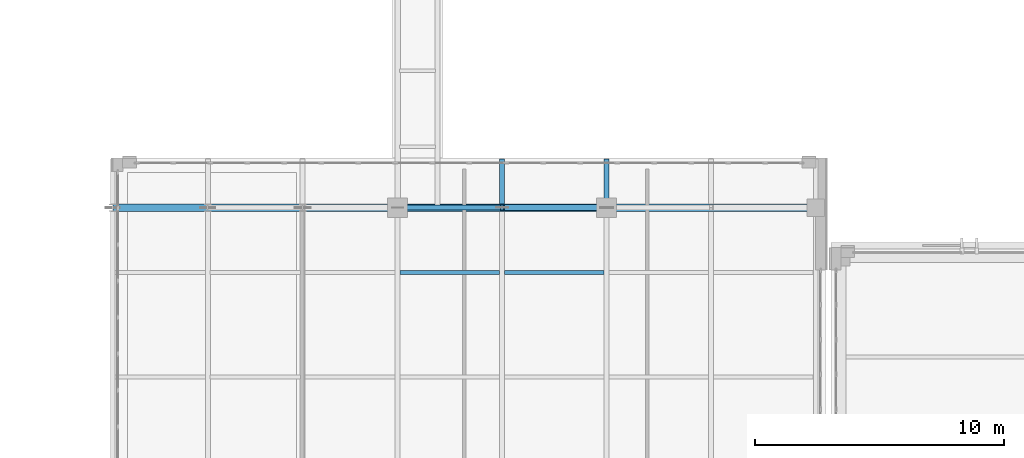
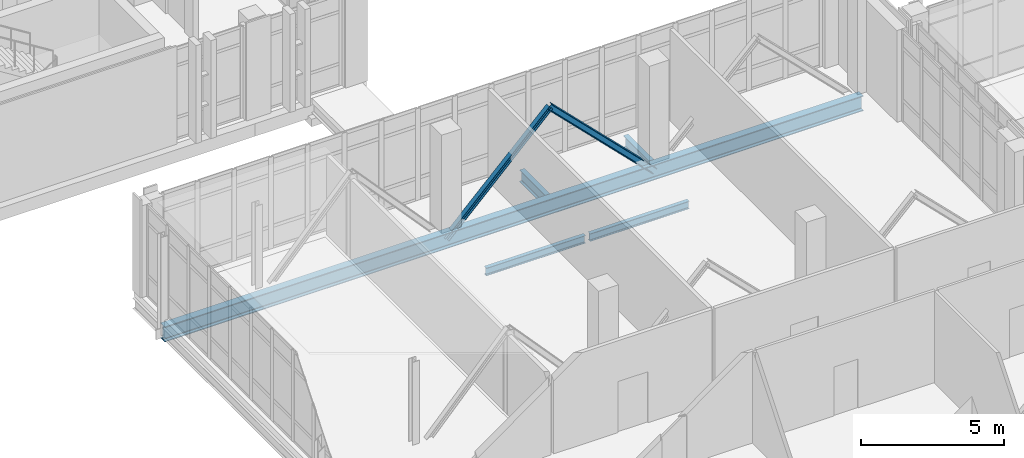
# One storey, part 13 of 158: 5 beams, 2 members.
"""IFC4 building model written with IfcOpenShell, lengths in metres."""

from ifc_helpers import new_model, si_unit, direction, frame, origin, origin_2d, place, context, subcontext, project, spatial, i_section, extrude, material, material_profile, profile_set, type_object, element, save


model = new_model("IFC4")

# Units and contexts
model_context = context("Model", 3, precision=1e-05, world=origin(), true_north=direction((0.0, 1.0)))
body_context = subcontext(model_context, "Body", "Model", "MODEL_VIEW")
ifc_project = project(units=[si_unit("LENGTHUNIT", "METRE"), si_unit("AREAUNIT", "SQUARE_METRE"), si_unit("VOLUMEUNIT", "CUBIC_METRE"), si_unit("PLANEANGLEUNIT", "RADIAN"), si_unit("MASSUNIT", "GRAM", prefix="KILO")], contexts=[model_context])

# Site, building, storey
site_placement = place(None, origin())
site = spatial("IfcSite", under=ifc_project, at=site_placement, CompositionType="ELEMENT")
building_placement = place(site_placement, origin())
building = spatial("IfcBuilding", under=site, at=building_placement, Name="Qalavern Law Courts", CompositionType="ELEMENT")
storey_placement = place(building_placement, frame((0.0, 0.0, 18.60009765625)))
storey = spatial("IfcBuildingStorey", under=building, at=storey_placement, Name="L04", CompositionType="ELEMENT", Elevation=18.60009765625)

# Beams
ifc_material = material(Name="Steel S355", Category="steel")
ifc_material_profile_1 = material_profile(ifc_material, i_section(OverallWidth=0.199951171875, OverallDepth=0.5, WebThickness=0.01025390625, FlangeThickness=0.01611328125, FilletRadius=0.02099609375, at=origin_2d()), Name="IPE 500")
ifc_profile_set_1 = profile_set([ifc_material_profile_1], Name="Steel S355")
beam_type_1 = type_object("IfcBeamType", Name="STR-BM-IPE500", PredefinedType="BEAM", material=ifc_profile_set_1)
for number, where, z_axis, x_axis, name in (
    (1, (25.199951171875, 32.14794921875, -0.530029296875), (0.0, 1.0, 0.0), (-1.0, 0.0, 0.0), "Foyer transverse beam L04-3.4"),
    (2, (21.0, 32.14794921875, -0.530029296875), (0.0, 1.0, 0.0), (-1.0, 0.0, 0.0), "Foyer transverse beam L04-4.4"),
):
    element("IfcBeam", number, at=place(storey_placement, frame(where, z_axis=z_axis, x_axis=x_axis)), inside=storey, type_object=beam_type_1, Name=name, PredefinedType="BEAM", context=body_context, shape_type="SweptSolid", body=[
        extrude(i_section(OverallWidth=0.199951171875, OverallDepth=0.5, WebThickness=0.01025390625, FlangeThickness=0.01611328125, FilletRadius=0.02099609375, at=origin_2d()), origin(), (0.0, 0.0, 1.0), 1.802001953125),
    ])

# Members
ifc_material_profile_2 = material_profile(ifc_material, i_section(OverallWidth=0.199951171875, OverallDepth=0.199951171875, WebThickness=0.009033203125, FlangeThickness=0.014892578125, FilletRadius=0.01806640625, at=origin_2d()), Name="HEB 200")
ifc_profile_set_2 = profile_set([ifc_material_profile_2], Name="Steel S355")
member_type_1 = type_object("IfcMemberType", Name="STR-BR-HEB200", PredefinedType="BRACE", material=ifc_profile_set_2)
member_1_placement = place(storey_placement, frame((21.0, 32.0, 3.578857421875), z_axis=(-0.708464501441, 0.0, -0.705746448945), x_axis=(0.0, -1.0, 0.0)))
element("IfcMember", 3, at=member_1_placement, inside=storey, type_object=member_type_1, Name="Cantilever truss T3 diagonal L04-4", PredefinedType="BRACE", context=body_context, shape_type="SweptSolid", body=[
    extrude(i_section(OverallWidth=0.199951171875, OverallDepth=0.199951171875, WebThickness=0.009033203125, FlangeThickness=0.014892578125, FilletRadius=0.01806640625, at=origin_2d()), origin(), (0.0, 0.0, 1.0), 5.92822265625),
])
ifc_material_profile_3 = material_profile(ifc_material, i_section(OverallWidth=0.239990234375, OverallDepth=0.239990234375, WebThickness=0.010009765625, FlangeThickness=0.01708984375, FilletRadius=0.02099609375, at=origin_2d()), Name="HEB 240")
ifc_profile_set_3 = profile_set([ifc_material_profile_3], Name="Steel S355")
member_type_2 = type_object("IfcMemberType", Name="STR-BR-HEB240", PredefinedType="BRACE", material=ifc_profile_set_3)
member_2_placement = place(storey_placement, frame((25.199951171875, 32.0, -0.60498046875), z_axis=(-0.708464501441, 0.0, 0.705746448945), x_axis=(0.0, -1.0, 0.0)))
element("IfcMember", 4, at=member_2_placement, inside=storey, type_object=member_type_2, Name="Cantilever truss T3 diagonal L04-3", PredefinedType="BRACE", context=body_context, shape_type="SweptSolid", body=[
    extrude(i_section(OverallWidth=0.239990234375, OverallDepth=0.239990234375, WebThickness=0.010009765625, FlangeThickness=0.01708984375, FilletRadius=0.02099609375, at=origin_2d()), origin(), (0.0, 0.0, 1.0), 5.92822265625),
])

# Beams
ifc_material_profile_4 = material_profile(ifc_material, i_section(OverallWidth=0.159912109375, OverallDepth=0.330078125, WebThickness=0.007568359375, FlangeThickness=0.011474609375, FilletRadius=0.01806640625, at=origin_2d()), Name="IPE 330")
ifc_profile_set_4 = profile_set([ifc_material_profile_4], Name="Steel S355")
beam_type_2 = type_object("IfcBeamType", Name="STR-JST-IPE330", PredefinedType="JOIST", material=ifc_profile_set_4)
for number, where, z_axis, x_axis, name in (
    (5, (21.097900390625, 29.39990234375, -0.445068359375), (1.0, 0.0, 0.0), (0.0, 1.0, 0.0), "Foyer floor joist L04-3.4"),
    (6, (16.89794921875, 29.39990234375, -0.445068359375), (1.0, 0.0, 0.0), (0.0, 1.0, 0.0), "Foyer floor joist L04-4.4"),
):
    element("IfcBeam", number, at=place(storey_placement, frame(where, z_axis=z_axis, x_axis=x_axis)), inside=storey, type_object=beam_type_2, Name=name, PredefinedType="JOIST", context=body_context, shape_type="SweptSolid", body=[
        extrude(i_section(OverallWidth=0.159912109375, OverallDepth=0.330078125, WebThickness=0.007568359375, FlangeThickness=0.011474609375, FilletRadius=0.01806640625, at=origin_2d()), origin(), (0.0, 0.0, 1.0), 4.004150390625),
    ])
ifc_material_profile_5 = material_profile(ifc_material, i_section(OverallWidth=0.300048828125, OverallDepth=0.64990234375, WebThickness=0.01611328125, FlangeThickness=0.031005859375, FilletRadius=0.027099609375, at=origin_2d()), Name="HEB 650")
ifc_profile_set_5 = profile_set([ifc_material_profile_5], Name="Steel S355")
beam_type_3 = type_object("IfcBeamType", Name="STR-TC-HEB650", PredefinedType="BEAM", material=ifc_profile_set_5)
beam_placement = place(storey_placement, frame((33.60009765625, 32.0, -0.60498046875), z_axis=(-1.0, 0.0, 0.0), x_axis=(0.0, -1.0, 0.0)))
element("IfcBeam", 7, at=beam_placement, inside=storey, type_object=beam_type_3, Name="Cantilever foyer truss T3 continuous chord L04", PredefinedType="BEAM", context=body_context, shape_type="SweptSolid", body=[
    extrude(i_section(OverallWidth=0.300048828125, OverallDepth=0.64990234375, WebThickness=0.01611328125, FlangeThickness=0.031005859375, FilletRadius=0.027099609375, at=origin_2d()), origin(), (0.0, 0.0, 1.0), 28.25),
])

save(model, "model.ifc")
